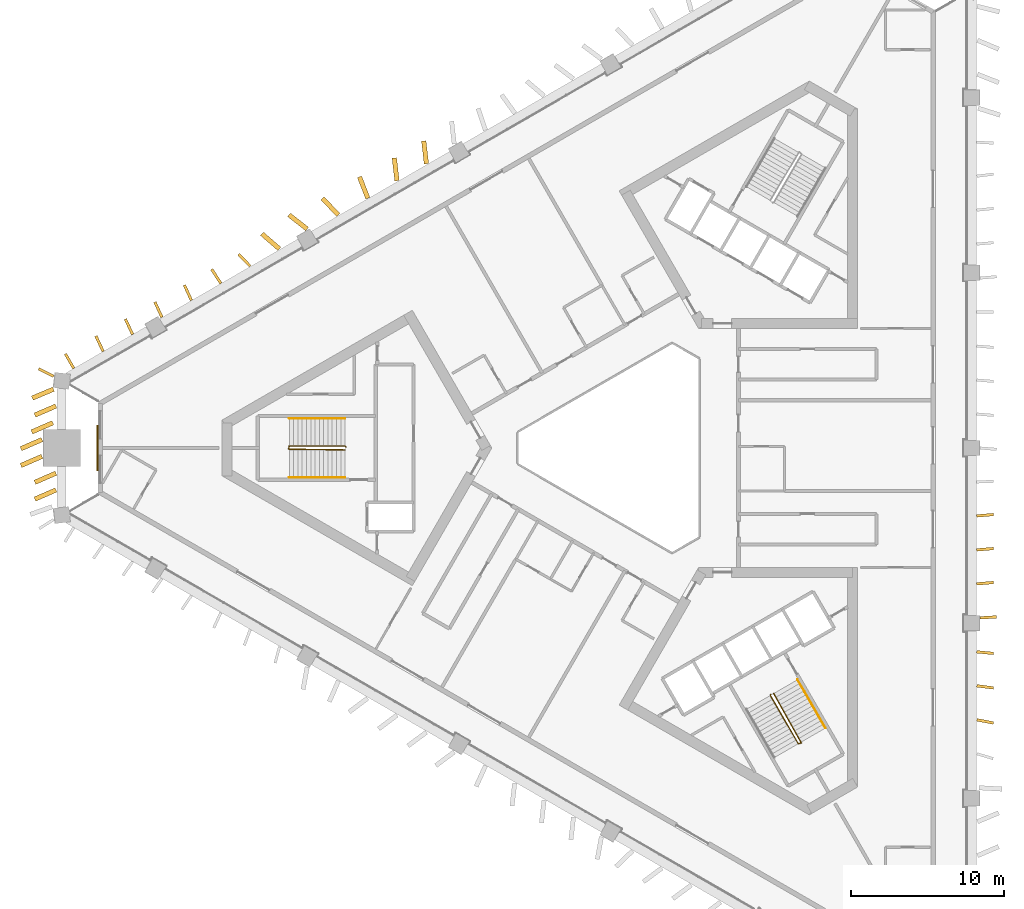
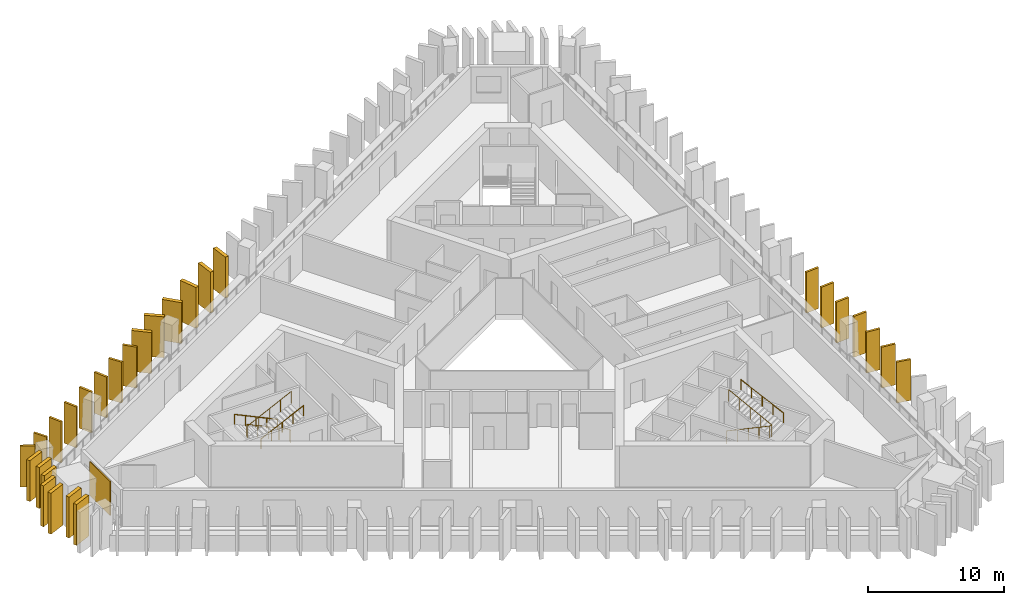
# One storey, part 9 of 11: 28 shading devices, 5 railings, 1 covering.
"""IFC4 building model written with IfcOpenShell, lengths in metres."""

import ifcopenshell
import ifcopenshell.guid

model = None  # the IFC model being written
_history = None  # IfcOwnerHistory: only IFC2X3 demands one
_inside = {}  # id of a spatial element -> (the spatial element, [elements in it])
_under = {}  # id of a project, library or spatial element -> (it, [spatial elements below it])
_declared = {}  # id of a project -> (the project, [libraries it declares])
_typed = {}  # id of a type object -> (the type object, [elements of that type])
_made_of = {}  # id of a material, layer set ... -> (it, [elements and type objects made of it])


def new_model(schema):
    """Start an empty IFC model of exactly this schema.

    Asked for "IFC4X3", IfcOpenShell would pick the latest addendum, in which some entities
    have other attributes; the version numbers below select the first issue.
    IFC2X3 requires an IfcOwnerHistory on every rooted entity: one is made here for all.
    """
    global model, _history
    if schema == "IFC4X3":
        model = ifcopenshell.file(schema_version=(4, 3, 0, 0))
    else:
        model = ifcopenshell.file(schema=schema)
    _inside.clear()
    _under.clear()
    _declared.clear()
    _typed.clear()
    _made_of.clear()
    _history = None
    if model.schema == "IFC2X3":
        org = make("IfcOrganization", Name="unknown")
        user = make(
            "IfcPersonAndOrganization",
            ThePerson=make("IfcPerson", FamilyName="unknown"),
            TheOrganization=org,
        )
        app = make(
            "IfcApplication",
            ApplicationDeveloper=org,
            Version="unknown",
            ApplicationFullName="unknown",
            ApplicationIdentifier="unknown",
        )
        _history = make(
            "IfcOwnerHistory",
            OwningUser=user,
            OwningApplication=app,
            ChangeAction="ADDED",
            CreationDate=0,
        )
    return model


def make(cls, **values):
    """One entity of the class cls with the attributes given. An attribute that is None is left unset."""
    return model.create_entity(
        cls, **{name: value for name, value in values.items() if value is not None}
    )


def rooted(cls, **values):
    """An entity with a GlobalId (a new one), such as an element, a storey or a relation."""
    return make(cls, GlobalId=ifcopenshell.guid.new(), OwnerHistory=_history, **values)


def si_unit(unit_type, name, prefix=None):
    """IfcSIUnit, for example si_unit("LENGTHUNIT", "METRE", prefix="MILLI")."""
    return make("IfcSIUnit", UnitType=unit_type, Prefix=prefix, Name=name)


def assignment(units):
    """IfcUnitAssignment: the units of a project."""
    return None if units is None else make("IfcUnitAssignment", Units=units)


def point(xyz):
    """IfcCartesianPoint."""
    return None if xyz is None else make("IfcCartesianPoint", Coordinates=xyz)


def direction(xyz):
    """IfcDirection."""
    return None if xyz is None else make("IfcDirection", DirectionRatios=xyz)


def frame(location, z_axis=None, x_axis=None):
    """IfcAxis2Placement3D, a coordinate frame: its origin and axes. An axis left out is left unset."""
    return make(
        "IfcAxis2Placement3D",
        Location=point(location),
        Axis=direction(z_axis),
        RefDirection=direction(x_axis),
    )


def frame_2d(location, x_axis=None):
    """IfcAxis2Placement2D, a coordinate frame in the plane: its origin and x axis."""
    return make(
        "IfcAxis2Placement2D", Location=point(location), RefDirection=direction(x_axis)
    )


def origin():
    """The frame at (0, 0, 0) with its axes left unset."""
    return frame((0.0, 0.0, 0.0))


def origin_2d():
    """The frame at (0, 0) in the plane with its x axis left unset."""
    return frame_2d((0.0, 0.0))


def place(relative_to, where):
    """IfcLocalPlacement: puts the frame where relative to a parent placement (None: the world)."""
    return make(
        "IfcLocalPlacement", PlacementRelTo=relative_to, RelativePlacement=where
    )


def context(
    kind, dimensions, precision=None, world=None, true_north=None, identifier=None
):
    """IfcGeometricRepresentationContext, for example the 3D "Model" context."""
    return make(
        "IfcGeometricRepresentationContext",
        ContextIdentifier=identifier,
        ContextType=kind,
        CoordinateSpaceDimension=dimensions,
        Precision=precision,
        WorldCoordinateSystem=world,
        TrueNorth=true_north,
    )


def subcontext(parent, identifier, kind, view, scale=None):
    """IfcGeometricRepresentationSubContext, for example "Body" below "Model"."""
    return make(
        "IfcGeometricRepresentationSubContext",
        ContextIdentifier=identifier,
        ContextType=kind,
        ParentContext=parent,
        TargetScale=scale,
        TargetView=view,
    )


def project(units=None, contexts=None):
    """IfcProject with its units and contexts."""
    return rooted(
        "IfcProject",
        Name="project",
        RepresentationContexts=contexts,
        UnitsInContext=assignment(units),
    )


def spatial(cls, under=None, at=None, **own):
    """A site, building, storey or space (cls), placed at a placement, below another one or the project."""
    s = rooted(cls, ObjectPlacement=at, **own)
    if under is not None:
        _under.setdefault(under.id(), (under, []))[1].append(s)
    return s


def profile(cls, at=None, kind="AREA", **sizes):
    """A parametric profile (cls). Its sizes go by their IFC names, for example OverallWidth=200.0."""
    return make(cls, ProfileType=kind, Position=at, **sizes)


def rectangle(**sizes):
    """IfcRectangleProfileDef."""
    return profile("IfcRectangleProfileDef", **sizes)


def circle(**sizes):
    """IfcCircleProfileDef."""
    return profile("IfcCircleProfileDef", **sizes)


def extrude(swept, where, along, depth):
    """IfcExtrudedAreaSolid: the profile swept, set in the frame where, extruded along a direction by depth."""
    return make(
        "IfcExtrudedAreaSolid",
        SweptArea=swept,
        Position=where,
        ExtrudedDirection=direction(along),
        Depth=depth,
    )


def shape(context_of_items, identifier, shape_type, items):
    """IfcShapeRepresentation: the items that make up one representation, for example the "Body"."""
    return make(
        "IfcShapeRepresentation",
        ContextOfItems=context_of_items,
        RepresentationIdentifier=identifier,
        RepresentationType=shape_type,
        Items=items,
    )


def material(Name=None, Category=None):
    """IfcMaterial."""
    return make("IfcMaterial", Name=Name, Category=Category)


def layer(
    of_material, thickness, ventilated=None, Name=None, Category=None, Priority=None
):
    """IfcMaterialLayer: one layer of a wall or slab, of a material (None: an air gap)."""
    return make(
        "IfcMaterialLayer",
        Material=of_material,
        LayerThickness=thickness,
        IsVentilated=ventilated,
        Name=Name,
        Category=Category,
        Priority=Priority,
    )


def layer_set(layers, Name=None):
    """IfcMaterialLayerSet."""
    return make("IfcMaterialLayerSet", MaterialLayers=layers, LayerSetName=Name)


def made_of(thing, what):
    """Note that an element or type object is made of a material, layer set ...; save() writes the relation."""
    if what is not None:
        _made_of.setdefault(what.id(), (what, []))[1].append(thing)
    return thing


def type_object(cls, material=None, **own):
    """A type object (cls), such as IfcWallType, which elements share."""
    return made_of(rooted(cls, **own), material)


def element(
    cls,
    number,
    at=None,
    inside=None,
    cuts=None,
    type_object=None,
    material=None,
    context=None,
    identifier="Body",
    shape_type=None,
    held_by="IfcProductDefinitionShape",
    body=None,
    shapes=None,
    **own,
):
    """One element of the class cls, such as IfcWall. Its Tag is "e" and its number.

    at: its placement. inside: the storey or other place that contains it. cuts: it is an
    opening in that element (IfcRelVoidsElement). A single representation is given by context,
    identifier, shape_type and body (its items); several are given by shapes. held_by: the class
    of the entity that holds the representations. save() writes the other relations.
    """
    e = rooted(cls, Tag="e%d" % number, ObjectPlacement=at, **own)
    if body is not None:
        shapes = [shape(context, identifier, shape_type, body)]
    if shapes is not None:
        e.Representation = make(held_by, Representations=shapes)
    if inside is not None:
        _inside.setdefault(inside.id(), (inside, []))[1].append(e)
    if cuts is not None:
        rooted(
            "IfcRelVoidsElement", RelatingBuildingElement=cuts, RelatedOpeningElement=e
        )
    if type_object is not None:
        _typed.setdefault(type_object.id(), (type_object, []))[1].append(e)
    return made_of(e, material)


def aggregate(whole, parts):
    """IfcRelAggregates: a whole, such as a stair, and the parts it consists of."""
    return rooted("IfcRelAggregates", RelatingObject=whole, RelatedObjects=parts)


def save(model, path):
    """Write the relations noted so far, then the file.

    IfcRelAggregates (storeys below a building ...), IfcRelContainedInSpatialStructure (elements
    in a storey), IfcRelDefinesByType, IfcRelAssociatesMaterial and IfcRelDeclares: one each for
    every whole, place, type object, material and project.
    """
    for whole, parts in _under.values():
        aggregate(whole, parts)
    for where, things in _inside.values():
        rooted(
            "IfcRelContainedInSpatialStructure",
            RelatedElements=things,
            RelatingStructure=where,
        )
    for kind, things in _typed.values():
        rooted("IfcRelDefinesByType", RelatedObjects=things, RelatingType=kind)
    for what, things in _made_of.values():
        rooted("IfcRelAssociatesMaterial", RelatedObjects=things, RelatingMaterial=what)
    for by, libraries in _declared.values():
        rooted("IfcRelDeclares", RelatingContext=by, RelatedDefinitions=libraries)
    model.write(path)


model = new_model("IFC4")

# Units and contexts
model_context = context("Model", 3, precision=1e-05, world=origin(), true_north=direction((0.0, 1.0)))
body_context = subcontext(model_context, "Body", "Model", "MODEL_VIEW")
ifc_project = project(units=[si_unit("LENGTHUNIT", "METRE"), si_unit("AREAUNIT", "SQUARE_METRE"), si_unit("VOLUMEUNIT", "CUBIC_METRE"), si_unit("PLANEANGLEUNIT", "RADIAN"), si_unit("MASSUNIT", "GRAM", prefix="KILO")], contexts=[model_context])

# Site, building, storey
site_placement = place(None, origin())
site = spatial("IfcSite", under=ifc_project, at=site_placement, CompositionType="ELEMENT")
building_placement = place(site_placement, origin())
building = spatial("IfcBuilding", under=site, at=building_placement, Name="Jabali Bay Hotel Tower and Convention Centre", CompositionType="ELEMENT")
storey_placement = place(building_placement, frame((0.0, 0.0, 114.199951171875)))
storey = spatial("IfcBuildingStorey", under=building, at=storey_placement, Name="L27", CompositionType="ELEMENT", Elevation=114.199951171875)

# Shading devices
ifc_material_1 = material(Name="Precast concrete C60", Category="concrete")
ifc_layer_1 = layer(ifc_material_1, 0.179931640625)
ifc_layer_set_1 = layer_set([ifc_layer_1], Name="Precast concrete C60")
shading_device_type_1 = type_object("IfcShadingDeviceType", Name="Precast fin 3680 x 1100", PredefinedType="USERDEFINED", material=ifc_layer_set_1)
for number, where, z_axis, x_axis, name in (
    (1, (97.65966796875, 62.257080078125, 0.010009765625), (0.0, 0.0, 1.0), (0.981574942625, -0.191077554963, 0.0), "Fin L27 005"),
    (2, (97.65380859375, 64.47509765625, 0.010009765625), (0.0, 0.0, 1.0), (0.992078571788, -0.125618897457, 0.0), "Fin L27 006"),
    (3, (97.65087890625, 66.69287109375, 0.010009765625), (0.0, 0.0, 1.0), (0.995604527084, -0.093656957296, 0.0), "Fin L27 007"),
    (4, (97.855224609375, 68.91064453125, 0.010009765625), (0.0, 0.0, 1.0), (0.998255957451, 0.059034256265, 0.0), "Fin L27 008"),
):
    element("IfcShadingDevice", number, at=place(storey_placement, frame(where, z_axis=z_axis, x_axis=x_axis)), inside=storey, type_object=shading_device_type_1, Name=name, ObjectType="FIN", PredefinedType="USERDEFINED", context=body_context, shape_type="SweptSolid", body=[
        extrude(rectangle(XDim=1.10009765625, YDim=0.179931640625, at=frame_2d((0.550048828125, 0.0))), origin(), (0.0, 0.0, 1.0), 3.679931640625),
    ])
shading_device_1_placement = place(storey_placement, frame((97.650146484375, 71.128662109375, 0.010009765625), z_axis=(0.0, 0.0, 1.0), x_axis=(0.996436214556, 0.084349690695, 0.0)))
element("IfcShadingDevice", 5, at=shading_device_1_placement, inside=storey, type_object=shading_device_type_1, Name="Fin L27 009", ObjectType="FIN", PredefinedType="USERDEFINED", context=body_context, shape_type="SweptSolid", body=[
    extrude(rectangle(XDim=1.099853515625, YDim=0.179931640625, at=frame_2d((0.5498046875, 0.0))), origin(), (0.0, 0.0, 1.0), 3.679931640625),
])
shading_device_2_placement = place(storey_placement, frame((97.64990234375, 73.346435546875, 0.010009765625), z_axis=(0.0, 0.0, 1.0), x_axis=(0.996548818927, 0.083008743492, 0.0)))
element("IfcShadingDevice", 6, at=shading_device_2_placement, inside=storey, type_object=shading_device_type_1, Name="Fin L27 010", ObjectType="FIN", PredefinedType="USERDEFINED", context=body_context, shape_type="SweptSolid", body=[
    extrude(rectangle(XDim=1.10009765625, YDim=0.179931640625, at=frame_2d((0.550048828125, 0.0))), origin(), (0.0, 0.0, 1.0), 3.679931640625),
])
for number, where, z_axis, x_axis, name in (
    (7, (97.64990234375, 75.564208984375, 0.010009765625), (0.0, 0.0, 1.0), (0.996585442931, 0.082567880795, 0.0), "Fin L27 011"),
    (8, (50.22314453125, 91.864990234375, 0.010009765625), (0.0, 0.0, 1.0), (-0.690945425454, 0.722906922809, 0.0), "Fin L27 055"),
):
    element("IfcShadingDevice", number, at=place(storey_placement, frame(where, z_axis=z_axis, x_axis=x_axis)), inside=storey, type_object=shading_device_type_1, Name=name, ObjectType="FIN", PredefinedType="USERDEFINED", context=body_context, shape_type="SweptSolid", body=[
        extrude(rectangle(XDim=1.099853515625, YDim=0.179931640625, at=frame_2d((0.5498046875, 0.0))), origin(), (0.0, 0.0, 1.0), 3.679931640625),
    ])
for number, where, z_axis, x_axis, name in (
    (9, (48.310791015625, 90.7412109375, 0.010009765625), (0.0, 0.0, 1.0), (-0.540847322315, 0.841120784397, 0.0), "Fin L27 056"),
    (10, (46.38818359375, 89.6357421875, 0.010009765625), (0.0, 0.0, 1.0), (-0.417678459743, 0.908594906582, 0.0), "Fin L27 057"),
):
    element("IfcShadingDevice", number, at=place(storey_placement, frame(where, z_axis=z_axis, x_axis=x_axis)), inside=storey, type_object=shading_device_type_1, Name=name, ObjectType="FIN", PredefinedType="USERDEFINED", context=body_context, shape_type="SweptSolid", body=[
        extrude(rectangle(XDim=1.10009765625, YDim=0.179931640625, at=frame_2d((0.550048828125, 0.0))), origin(), (0.0, 0.0, 1.0), 3.679931640625),
    ])
shading_device_3_placement = place(storey_placement, frame((44.467529296875, 88.52685546875, 0.010009765625), z_axis=(0.0, 0.0, 1.0), x_axis=(-0.418847029159, 0.908056807785, 0.0)))
element("IfcShadingDevice", 11, at=shading_device_3_placement, inside=storey, type_object=shading_device_type_1, Name="Fin L27 058", ObjectType="FIN", PredefinedType="USERDEFINED", context=body_context, shape_type="SweptSolid", body=[
    extrude(rectangle(XDim=1.099853515625, YDim=0.179931640625, at=frame_2d((0.5498046875, 0.0))), origin(), (0.0, 0.0, 1.0), 3.679931640625),
])
for number, where, z_axis, x_axis, name in (
    (12, (42.546875, 87.41748046875, 0.010009765625), (0.0, 0.0, 1.0), (-0.423893625474, 0.905711981969, 0.0), "Fin L27 059"),
    (13, (40.62646484375, 86.308349609375, 0.010009765625), (0.0, 0.0, 1.0), (-0.425871847727, 0.90478349306, 0.0), "Fin L27 060"),
    (14, (38.709228515625, 85.193359375, 0.010009765625), (0.0, 0.0, 1.0), (-0.496234535783, 0.868188508042, 0.0), "Fin L27 061"),
    (15, (37.39501953125, 84.674072265625, 0.010009765625), (0.0, 0.0, 1.0), (-0.891433752944, 0.453151038962, 0.0), "Fin L27 108"),
):
    element("IfcShadingDevice", number, at=place(storey_placement, frame(where, z_axis=z_axis, x_axis=x_axis)), inside=storey, type_object=shading_device_type_1, Name=name, ObjectType="FIN", PredefinedType="USERDEFINED", context=body_context, shape_type="SweptSolid", body=[
        extrude(rectangle(XDim=1.10009765625, YDim=0.179931640625, at=frame_2d((0.550048828125, 0.0))), origin(), (0.0, 0.0, 1.0), 3.679931640625),
    ])
ifc_layer_2 = layer(ifc_material_1, 0.300048828125)
ifc_layer_set_2 = layer_set([ifc_layer_2], Name="Precast concrete C60")
shading_device_type_2 = type_object("IfcShadingDeviceType", Name="Precast fin 3680 x 1500", PredefinedType="USERDEFINED", material=ifc_layer_set_2)
for number, where, z_axis, x_axis, name in (
    (16, (61.728271484375, 98.5517578125, 0.010009765625), (0.0, 0.0, 1.0), (-0.114914472364, 0.993375389287, 0.0), "Fin L27 049"),
    (17, (59.8076171875, 97.442626953125, 0.010009765625), (0.0, 0.0, 1.0), (-0.115396288642, 0.993319533971, 0.0), "Fin L27 050"),
    (18, (57.9052734375, 96.3017578125, 0.010009765625), (0.0, 0.0, 1.0), (-0.36309805018, 0.931750935581, 0.0), "Fin L27 051"),
    (19, (55.978759765625, 95.202880859375, 0.010009765625), (0.0, 0.0, 1.0), (-0.684541833385, 0.728973578633, 0.0), "Fin L27 052"),
):
    element("IfcShadingDevice", number, at=place(storey_placement, frame(where, z_axis=z_axis, x_axis=x_axis)), inside=storey, type_object=shading_device_type_2, Name=name, ObjectType="FIN", PredefinedType="USERDEFINED", context=body_context, shape_type="SweptSolid", body=[
        extrude(rectangle(XDim=1.5, YDim=0.300048828125, at=frame_2d((0.75, 0.0))), origin(), (0.0, 0.0, 1.0), 3.679931640625),
    ])
shading_device_4_placement = place(storey_placement, frame((53.943359375, 94.292724609375, 0.010009765625), z_axis=(0.0, 0.0, 1.0), x_axis=(-0.788650657702, 0.614841556912, 0.0)))
element("IfcShadingDevice", 20, at=shading_device_4_placement, inside=storey, type_object=shading_device_type_2, Name="Fin L27 053", ObjectType="FIN", PredefinedType="USERDEFINED", context=body_context, shape_type="SweptSolid", body=[
    extrude(rectangle(XDim=1.500244140625, YDim=0.300048828125, at=frame_2d((0.75, 0.0))), origin(), (0.0, 0.0, 1.0), 3.679931640625),
])
for number, where, z_axis, x_axis, name in (
    (21, (52.1298828125, 92.998046875, 0.010009765625), (0.0, 0.0, 1.0), (-0.756215146057, 0.654323049322, 0.0), "Fin L27 054"),
    (22, (37.38671875, 83.837158203125, 0.010009765625), (0.0, 0.0, 1.0), (-0.921917007589, -0.387387443161, 0.0), "Fin L27 062"),
    (23, (37.548828125, 82.74072265625, 0.010009765625), (0.0, 0.0, 1.0), (-0.917682260148, -0.39731507574, 0.0), "Fin L27 063"),
    (24, (37.34521484375, 81.64453125, 0.010009765625), (0.0, 0.0, 1.0), (-0.917682260148, -0.39731507574, 0.0), "Fin L27 064"),
):
    element("IfcShadingDevice", number, at=place(storey_placement, frame(where, z_axis=z_axis, x_axis=x_axis)), inside=storey, type_object=shading_device_type_2, Name=name, ObjectType="FIN", PredefinedType="USERDEFINED", context=body_context, shape_type="SweptSolid", body=[
        extrude(rectangle(XDim=1.5, YDim=0.300048828125, at=frame_2d((0.75, 0.0))), origin(), (0.0, 0.0, 1.0), 3.679931640625),
    ])
for number, where, z_axis, x_axis, name in (
    (25, (36.636474609375, 80.548095703125, 0.010009765625), (0.0, 0.0, 1.0), (-0.917707948725, -0.397255737336, 0.0), "Fin L27 065"),
    (26, (36.636474609375, 79.451904296875, 0.010009765625), (0.0, 0.0, 1.0), (-0.917707948725, -0.397255737336, 0.0), "Fin L27 066"),
):
    element("IfcShadingDevice", number, at=place(storey_placement, frame(where, z_axis=z_axis, x_axis=x_axis)), inside=storey, type_object=shading_device_type_2, Name=name, ObjectType="FIN", PredefinedType="USERDEFINED", context=body_context, shape_type="SweptSolid", body=[
        extrude(rectangle(XDim=1.500244140625, YDim=0.300048828125, at=frame_2d((0.75, 0.0))), origin(), (0.0, 0.0, 1.0), 3.679931640625),
    ])
shading_device_5_placement = place(storey_placement, frame((37.548828125, 78.35546875, 0.010009765625), z_axis=(0.0, 0.0, 1.0), x_axis=(-0.917741600183, -0.397177989437, 0.0)))
element("IfcShadingDevice", 27, at=shading_device_5_placement, inside=storey, type_object=shading_device_type_2, Name="Fin L27 067", ObjectType="FIN", PredefinedType="USERDEFINED", context=body_context, shape_type="SweptSolid", body=[
    extrude(rectangle(XDim=1.499755859375, YDim=0.300048828125, at=frame_2d((0.75, 0.0))), origin(), (0.0, 0.0, 1.0), 3.679931640625),
])
shading_device_6_placement = place(storey_placement, frame((37.548828125, 77.25927734375, 0.010009765625), z_axis=(0.0, 0.0, 1.0), x_axis=(-0.917682260148, -0.39731507574, 0.0)))
element("IfcShadingDevice", 28, at=shading_device_6_placement, inside=storey, type_object=shading_device_type_2, Name="Fin L27 068", ObjectType="FIN", PredefinedType="USERDEFINED", context=body_context, shape_type="SweptSolid", body=[
    extrude(rectangle(XDim=1.5, YDim=0.300048828125, at=frame_2d((0.75, 0.0))), origin(), (0.0, 0.0, 1.0), 3.679931640625),
])

# Covering
ifc_material_2 = material(Name="Precast concrete C40/50", Category="concrete")
ifc_layer_3 = layer(ifc_material_2, 0.080078125)
ifc_layer_set_3 = layer_set([ifc_layer_3], Name="Precast concrete C40/50")
covering_type = type_object("IfcCoveringType", Name="Relief panel 3000 x 3050", PredefinedType="CLADDING", material=ifc_layer_set_3)
covering_placement = place(storey_placement, frame((40.255126953125, 80.0, 0.10009765625), z_axis=(0.0, 0.0, 1.0), x_axis=(0.0, 1.0, 0.0)))
element("IfcCovering", 29, at=covering_placement, inside=storey, type_object=covering_type, Name="Relief panel L27", PredefinedType="CLADDING", context=body_context, shape_type="SweptSolid", body=[
    extrude(rectangle(XDim=3.0, YDim=0.080078125, at=origin_2d()), origin(), (0.0, 0.0, 1.0), 3.050048828125),
])

# Railings
ifc_material_3 = material(Name="Steel Q355B", Category="steel")
railing_type_1 = type_object("IfcRailingType", Name="Stair guard 1100", PredefinedType="GUARDRAIL", material=ifc_material_3)
railing_1_placement = place(storey_placement, frame((56.469970703125, 80.074951171875, 0.0)))
element("IfcRailing", 30, at=railing_1_placement, inside=storey, type_object=railing_type_1, Name="L27 ST1 stair guard 1", PredefinedType="GUARDRAIL", context=body_context, shape_type="SweptSolid", body=[
    extrude(circle(Radius=0.02392578125, at=origin_2d()), frame((0.0, 0.0, 1.076171875), z_axis=(-0.333993628408, 0.333993628408, 0.881417331555), x_axis=(-0.707106781187, -0.707106781187, 0.0)), (0.0, 0.0, 1.0), 0.14990234375),
    extrude(circle(Radius=0.02392578125, at=origin_2d()), frame((-0.050048828125, 0.050048828125, 1.2080078125), z_axis=(-0.904327350853, 0.0, 0.426839598092), x_axis=(0.0, -1.0, 0.0)), (0.0, 0.0, 1.0), 4.02490234375),
    extrude(circle(Radius=0.02392578125, at=origin_2d()), frame((-3.68994140625, 0.050048828125, 2.92626953125), z_axis=(-0.242814311512, -0.970072785993, 0.0), x_axis=(0.970072785993, -0.242814311512, 0.0)), (0.0, 0.0, 1.0), 0.2060546875),
    extrude(circle(Radius=0.02392578125, at=origin_2d()), frame((-3.739990234375, -0.14990234375, 2.92626953125), z_axis=(0.893887803671, -0.012124321804, 0.4481267625), x_axis=(0.013562335953, 0.999908027292, 0.0)), (0.0, 0.0, 1.0), 4.1279296875),
    extrude(circle(Radius=0.02099609375, at=origin_2d()), origin(), (0.0, 0.0, 1.0), 1.052001953125),
    extrude(circle(Radius=0.02099609375, at=origin_2d()), frame((-0.050048828125, 0.050048828125, 0.132080078125)), (0.0, 0.0, 1.0), 1.052001953125),
    extrude(circle(Radius=0.02099609375, at=origin_2d()), frame((-0.9599609375, 0.050048828125, 0.5615234375)), (0.0, 0.0, 1.0), 1.052001953125),
    extrude(circle(Radius=0.02099609375, at=origin_2d()), frame((-1.8701171875, 0.050048828125, 0.9912109375)), (0.0, 0.0, 1.0), 1.052001953125),
    extrude(circle(Radius=0.02099609375, at=origin_2d()), frame((-2.780029296875, 0.050048828125, 1.420654296875)), (0.0, 0.0, 1.0), 1.052001953125),
    extrude(circle(Radius=0.02099609375, at=origin_2d()), frame((-3.68994140625, 0.050048828125, 1.85009765625)), (0.0, 0.0, 1.0), 1.052001953125),
    extrude(circle(Radius=0.02099609375, at=origin_2d()), frame((-3.739990234375, -0.14990234375, 1.85009765625)), (0.0, 0.0, 1.0), 1.052001953125),
    extrude(circle(Radius=0.02099609375, at=origin_2d()), frame((-2.8173828125, -0.162353515625, 2.3125)), (0.0, 0.0, 1.0), 1.052001953125),
    extrude(circle(Radius=0.02099609375, at=origin_2d()), frame((-1.89501953125, -0.1748046875, 2.77490234375)), (0.0, 0.0, 1.0), 1.052001953125),
    extrude(circle(Radius=0.02099609375, at=origin_2d()), frame((-0.97265625, -0.1875, 3.237548828125)), (0.0, 0.0, 1.0), 1.052001953125),
    extrude(circle(Radius=0.02099609375, at=origin_2d()), frame((-0.050048828125, -0.199951171875, 3.699951171875)), (0.0, 0.0, 1.0), 1.052001953125),
])
railing_2_placement = place(storey_placement, frame((84.199951171875, 63.9150390625, 0.0)))
element("IfcRailing", 31, at=railing_2_placement, inside=storey, type_object=railing_type_1, Name="L27 ST3 stair guard 1", PredefinedType="GUARDRAIL", context=body_context, shape_type="SweptSolid", body=[
    extrude(circle(Radius=0.02392578125, at=origin_2d()), frame((0.0, 0.0, 1.076171875), z_axis=(-0.122196845461, -0.456201556387, 0.881446578591), x_axis=(0.965948051503, -0.258736085224, 0.0)), (0.0, 0.0, 1.0), 0.14990234375),
    extrude(circle(Radius=0.02392578125, at=origin_2d()), frame((-0.018310546875, -0.068359375, 1.2080078125), z_axis=(0.45217862506, -0.783169739339, 0.426825081763), x_axis=(0.866018046521, 0.500012742938, 0.0)), (0.0, 0.0, 1.0), 4.025146484375),
    extrude(circle(Radius=0.02392578125, at=origin_2d()), frame((1.8017578125, -3.220703125, 2.92626953125), z_axis=(0.96121063429, 0.275815366736, 0.0), x_axis=(-0.275815366736, 0.96121063429, 0.0)), (0.0, 0.0, 1.0), 0.206298828125),
    extrude(circle(Radius=0.02392578125, at=origin_2d()), frame((2.0, -3.163818359375, 2.92626953125), z_axis=(-0.436481798955, 0.780166857725, 0.448133142368), x_axis=(-0.872702246529, -0.488252792008, 0.0)), (0.0, 0.0, 1.0), 4.1279296875),
    extrude(circle(Radius=0.02099609375, at=origin_2d()), origin(), (0.0, 0.0, 1.0), 1.052001953125),
    extrude(circle(Radius=0.02099609375, at=origin_2d()), frame((-0.018310546875, -0.068359375, 0.132080078125)), (0.0, 0.0, 1.0), 1.052001953125),
    extrude(circle(Radius=0.02099609375, at=origin_2d()), frame((0.436767578125, -0.8564453125, 0.5615234375)), (0.0, 0.0, 1.0), 1.052001953125),
    extrude(circle(Radius=0.02099609375, at=origin_2d()), frame((0.8916015625, -1.64453125, 0.9912109375)), (0.0, 0.0, 1.0), 1.052001953125),
    extrude(circle(Radius=0.02099609375, at=origin_2d()), frame((1.3466796875, -2.4326171875, 1.420654296875)), (0.0, 0.0, 1.0), 1.052001953125),
    extrude(circle(Radius=0.02099609375, at=origin_2d()), frame((1.8017578125, -3.220703125, 1.85009765625)), (0.0, 0.0, 1.0), 1.052001953125),
    extrude(circle(Radius=0.02099609375, at=origin_2d()), frame((2.0, -3.163818359375, 1.85009765625)), (0.0, 0.0, 1.0), 1.052001953125),
    extrude(circle(Radius=0.02099609375, at=origin_2d()), frame((1.549560546875, -2.358642578125, 2.3125)), (0.0, 0.0, 1.0), 1.052001953125),
    extrude(circle(Radius=0.02099609375, at=origin_2d()), frame((1.09912109375, -1.5537109375, 2.77490234375)), (0.0, 0.0, 1.0), 1.052001953125),
    extrude(circle(Radius=0.02099609375, at=origin_2d()), frame((0.648681640625, -0.74853515625, 3.237548828125)), (0.0, 0.0, 1.0), 1.052001953125),
    extrude(circle(Radius=0.02099609375, at=origin_2d()), frame((0.1982421875, 0.056640625, 3.699951171875)), (0.0, 0.0, 1.0), 1.052001953125),
])
railing_type_2 = type_object("IfcRailingType", Name="Stair handrail 900", PredefinedType="HANDRAIL", material=ifc_material_3)
railing_3_placement = place(storey_placement, frame((56.419921875, 81.925048828125, 0.132080078125)))
element("IfcRailing", 32, at=railing_3_placement, inside=storey, type_object=railing_type_2, Name="L27 ST1 stair handrail 1", PredefinedType="HANDRAIL", context=body_context, shape_type="SweptSolid", body=[
    extrude(circle(Radius=0.02392578125, at=origin_2d()), frame((0.0, 0.0, 0.8759765625), z_axis=(-0.904327350853, 0.0, 0.426839598092), x_axis=(0.0, -1.0, 0.0)), (0.0, 0.0, 1.0), 4.02490234375),
    extrude(circle(Radius=0.02099609375, at=origin_2d()), origin(), (0.0, 0.0, 1.0), 0.851806640625),
    extrude(circle(Radius=0.02099609375, at=origin_2d()), frame((-0.909912109375, 0.0, 0.429443359375)), (0.0, 0.0, 1.0), 0.851806640625),
    extrude(circle(Radius=0.02099609375, at=origin_2d()), frame((-1.81982421875, 0.0, 0.85888671875)), (0.0, 0.0, 1.0), 0.851806640625),
    extrude(circle(Radius=0.02099609375, at=origin_2d()), frame((-2.72998046875, 0.0, 1.28857421875)), (0.0, 0.0, 1.0), 0.851806640625),
    extrude(circle(Radius=0.02099609375, at=origin_2d()), frame((-3.639892578125, 0.0, 1.718017578125)), (0.0, 0.0, 1.0), 0.851806640625),
])
railing_4_placement = place(storey_placement, frame((52.780029296875, 78.074951171875, 1.982177734375)))
element("IfcRailing", 33, at=railing_4_placement, inside=storey, type_object=railing_type_2, Name="L27 ST1 stair handrail 2", PredefinedType="HANDRAIL", context=body_context, shape_type="SweptSolid", body=[
    extrude(circle(Radius=0.02392578125, at=origin_2d()), frame((0.0, 0.0, 0.8759765625), z_axis=(0.904350763662, 0.0, 0.426789990819), x_axis=(0.0, 1.0, 0.0)), (0.0, 0.0, 1.0), 4.02490234375),
    extrude(circle(Radius=0.02099609375, at=origin_2d()), origin(), (0.0, 0.0, 1.0), 0.851806640625),
    extrude(circle(Radius=0.02099609375, at=origin_2d()), frame((0.909912109375, 0.0, 0.429443359375)), (0.0, 0.0, 1.0), 0.851806640625),
    extrude(circle(Radius=0.02099609375, at=origin_2d()), frame((1.81982421875, 0.0, 0.85888671875)), (0.0, 0.0, 1.0), 0.851806640625),
    extrude(circle(Radius=0.02099609375, at=origin_2d()), frame((2.72998046875, 0.0, 1.288330078125)), (0.0, 0.0, 1.0), 0.851806640625),
    extrude(circle(Radius=0.02099609375, at=origin_2d()), frame((3.639892578125, 0.0, 1.7177734375)), (0.0, 0.0, 1.0), 0.851806640625),
])
railing_5_placement = place(storey_placement, frame((87.777099609375, 61.719482421875, 1.982177734375)))
element("IfcRailing", 34, at=railing_5_placement, inside=storey, type_object=railing_type_2, Name="L27 ST3 stair handrail 2", PredefinedType="HANDRAIL", context=body_context, shape_type="SweptSolid", body=[
    extrude(circle(Radius=0.02392578125, at=origin_2d()), frame((0.0, 0.0, 0.8759765625), z_axis=(-0.452190331055, 0.783190014029, 0.426775475427), x_axis=(-0.866018046521, -0.500012742938, 0.0)), (0.0, 0.0, 1.0), 4.02490234375),
    extrude(circle(Radius=0.02099609375, at=origin_2d()), origin(), (0.0, 0.0, 1.0), 0.851806640625),
    extrude(circle(Radius=0.02099609375, at=origin_2d()), frame((-0.455078125, 0.7880859375, 0.429443359375)), (0.0, 0.0, 1.0), 0.851806640625),
    extrude(circle(Radius=0.02099609375, at=origin_2d()), frame((-0.91015625, 1.576171875, 0.85888671875)), (0.0, 0.0, 1.0), 0.851806640625),
    extrude(circle(Radius=0.02099609375, at=origin_2d()), frame((-1.364990234375, 2.3642578125, 1.288330078125)), (0.0, 0.0, 1.0), 0.851806640625),
    extrude(circle(Radius=0.02099609375, at=origin_2d()), frame((-1.820068359375, 3.15234375, 1.7177734375)), (0.0, 0.0, 1.0), 0.851806640625),
])

save(model, "model.ifc")
